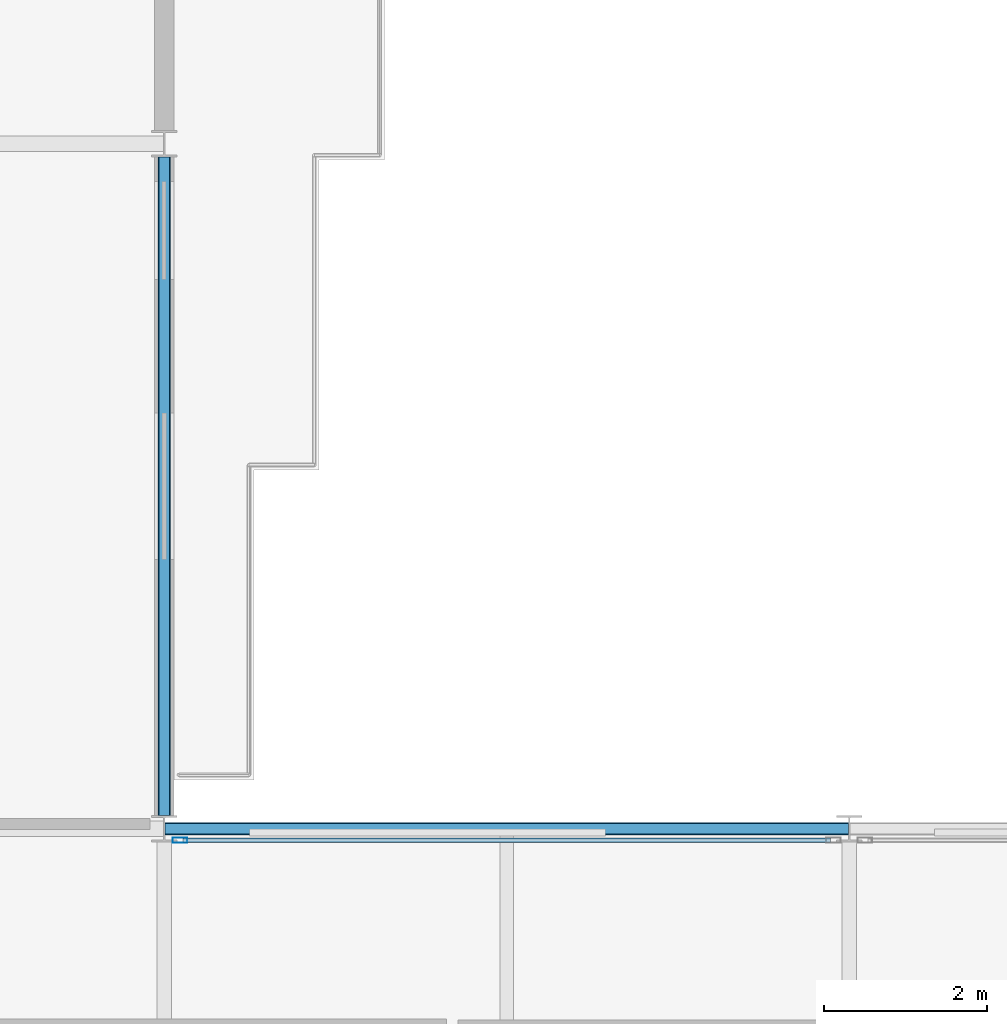
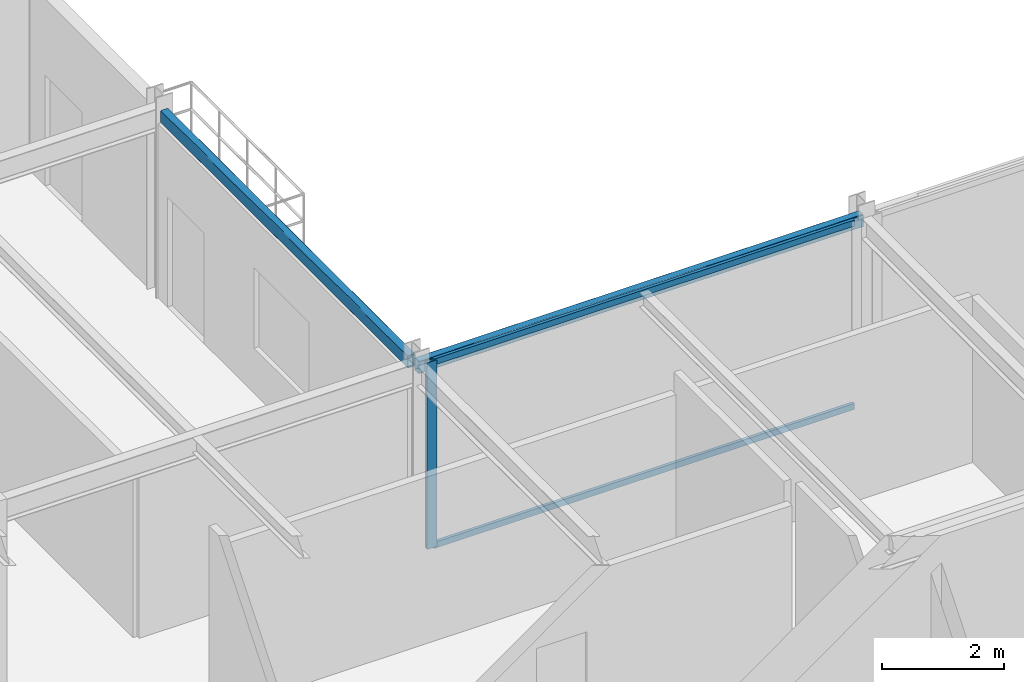
# One storey, part 13 of 26: 3 members, 2 beams, 1 element without a shape of its own.
"""IFC4 building model written with IfcOpenShell, lengths in metres."""

from ifc_helpers import new_model, si_unit, direction, frame, origin, origin_2d, place, context, subcontext, project, spatial, hollow_rectangle, extrude, material, layer, layer_set, material_profile, profile_set, type_object, element, aggregate, save


model = new_model("IFC4")

# Units and contexts
model_context = context("Model", 3, precision=1e-05, world=origin(), true_north=direction((0.0, 1.0)))
body_context = subcontext(model_context, "Body", "Model", "MODEL_VIEW")
ifc_project = project(units=[si_unit("LENGTHUNIT", "METRE"), si_unit("AREAUNIT", "SQUARE_METRE"), si_unit("VOLUMEUNIT", "CUBIC_METRE"), si_unit("PLANEANGLEUNIT", "RADIAN"), si_unit("MASSUNIT", "GRAM", prefix="KILO")], contexts=[model_context])

# Site, building, storey
site_placement = place(None, origin())
site = spatial("IfcSite", under=ifc_project, at=site_placement, CompositionType="ELEMENT")
building_placement = place(site_placement, origin())
building = spatial("IfcBuilding", under=site, at=building_placement, Name="Nerrivon Quay Data Exchange", CompositionType="ELEMENT")
storey_placement = place(building_placement, frame((0.0, 0.0, 258.199951171875)))
storey = spatial("IfcBuildingStorey", under=building, at=storey_placement, Name="L61", CompositionType="ELEMENT", Elevation=258.199951171875)

# Beams
ifc_material_1 = material(Name="Steel Grade C350L0 (350 MPa)", Category="steel")
ifc_material_profile_1 = material_profile(ifc_material_1, hollow_rectangle(XDim=0.14990234375, YDim=0.25, WallThickness=0.009033203125, InnerFilletRadius=0.013427734375, OuterFilletRadius=0.0224609375, at=origin_2d()), Name="250x150x9.0RHS")
ifc_profile_set_1 = profile_set([ifc_material_profile_1], Name="Steel Grade C350L0 (350 MPa)")
beam_type = type_object("IfcBeamType", Name="BM-SP4-250x150RHS", PredefinedType="SPANDREL", material=ifc_profile_set_1)
beam_1_placement = place(storey_placement, frame((25.2080078125, 25.199951171875, 3.60009765625), z_axis=(1.0, 0.0, 0.0), x_axis=(0.0, 1.0, 0.0)))
element("IfcBeam", 1, at=beam_1_placement, inside=storey, type_object=beam_type, Name="L61 EW Girder Y=25.2 (25.2..33.6)", PredefinedType="SPANDREL", context=body_context, shape_type="SweptSolid", body=[
    extrude(hollow_rectangle(XDim=0.14990234375, YDim=0.25, WallThickness=0.009033203125, InnerFilletRadius=0.013427734375, OuterFilletRadius=0.0224609375, at=origin_2d()), origin(), (0.0, 0.0, 1.0), 8.38427734375),
])
beam_2_placement = place(storey_placement, frame((25.199951171875, 25.363525390625, 3.60009765625), z_axis=(0.0, 1.0, 0.0), x_axis=(-1.0, 0.0, 0.0)))
element("IfcBeam", 2, at=beam_2_placement, inside=storey, type_object=beam_type, Name="L61 NS Girder X=25.2 (25.2..33.6)", PredefinedType="SPANDREL", context=body_context, shape_type="SweptSolid", body=[
    extrude(hollow_rectangle(XDim=0.14990234375, YDim=0.25, WallThickness=0.009033203125, InnerFilletRadius=0.013427734375, OuterFilletRadius=0.0224609375, at=origin_2d()), origin(), (0.0, 0.0, 1.0), 8.072998046875),
])

# Curtain wall, members
ifc_material_2 = material(Name="Anodised aluminium 6063-T6", Category="aluminium")
ifc_layer = layer(ifc_material_2, 0.195068359375)
ifc_layer_set = layer_set([ifc_layer], Name="Anodised aluminium 6063-T6")
curtain_wall_type = type_object("IfcCurtainWallType", Name="CW-SYS-06", PredefinedType="NOTDEFINED", material=ifc_layer_set)
curtain_wall_placement = place(storey_placement, origin())
curtain_wall = element("IfcCurtainWall", 3, at=curtain_wall_placement, inside=storey, type_object=curtain_wall_type, Name="L61 Unitised Curtain Wall 24", PredefinedType="NOTDEFINED")
ifc_material_profile_2 = material_profile(ifc_material_2, hollow_rectangle(XDim=0.06494140625, YDim=0.179931640625, WallThickness=0.00341796875, at=origin_2d()), Name="ALU-MULL-180x65")
ifc_profile_set_2 = profile_set([ifc_material_profile_2], Name="Anodised aluminium 6063-T6")
member_type_1 = type_object("IfcMemberType", Name="CWM-180x65", PredefinedType="MULLION", material=ifc_profile_set_2)
member_1_placement = place(storey_placement, frame((25.39306640625, 25.06005859375, 0.0), z_axis=(0.0, 0.0, 1.0), x_axis=(0.0, 1.0, 0.0)))
member_1 = element("IfcMember", 4, at=member_1_placement, type_object=member_type_1, Name="CW06 mullion 1", PredefinedType="MULLION", context=body_context, shape_type="SweptSolid", body=[
    extrude(hollow_rectangle(XDim=0.06494140625, YDim=0.179931640625, WallThickness=0.00341796875, at=origin_2d()), origin(), (0.0, 0.0, 1.0), 3.72509765625),
])
ifc_material_profile_3 = material_profile(ifc_material_2, hollow_rectangle(XDim=0.06005859375, YDim=0.1201171875, WallThickness=0.003173828125, at=origin_2d()), Name="ALU-TRAN-120x60")
ifc_profile_set_3 = profile_set([ifc_material_profile_3], Name="Anodised aluminium 6063-T6")
member_type_2 = type_object("IfcMemberType", Name="CWT-120x60", PredefinedType="USERDEFINED", material=ifc_profile_set_3)
member_2_placement = place(storey_placement, frame((25.430419921875, 25.06005859375, 0.032470703125), z_axis=(1.0, 0.0, 0.0), x_axis=(0.0, 1.0, 0.0)))
member_2 = element("IfcMember", 5, at=member_2_placement, type_object=member_type_2, Name="CW06 transom 1.1", ObjectType="TRANSOM", PredefinedType="USERDEFINED", context=body_context, shape_type="SweptSolid", body=[
    extrude(hollow_rectangle(XDim=0.06005859375, YDim=0.1201171875, WallThickness=0.003173828125, at=origin_2d()), origin(), (0.0, 0.0, 1.0), 7.93896484375),
])
member_3_placement = place(storey_placement, frame((25.430419921875, 25.06005859375, 3.692626953125), z_axis=(1.0, 0.0, 0.0), x_axis=(0.0, 1.0, 0.0)))
member_3 = element("IfcMember", 6, at=member_3_placement, type_object=member_type_2, Name="CW06 transom 1.2", ObjectType="TRANSOM", PredefinedType="USERDEFINED", context=body_context, shape_type="SweptSolid", body=[
    extrude(hollow_rectangle(XDim=0.06005859375, YDim=0.1201171875, WallThickness=0.003173828125, at=origin_2d()), origin(), (0.0, 0.0, 1.0), 7.93896484375),
])
aggregate(curtain_wall, [member_1, member_2, member_3])

save(model, "model.ifc")
